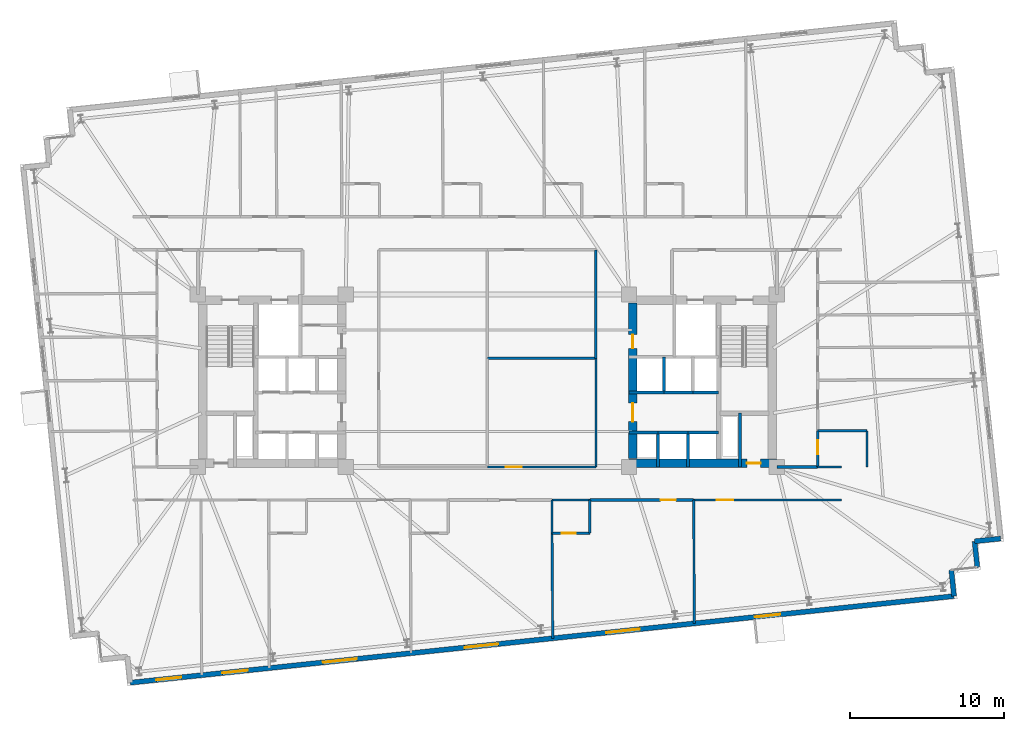
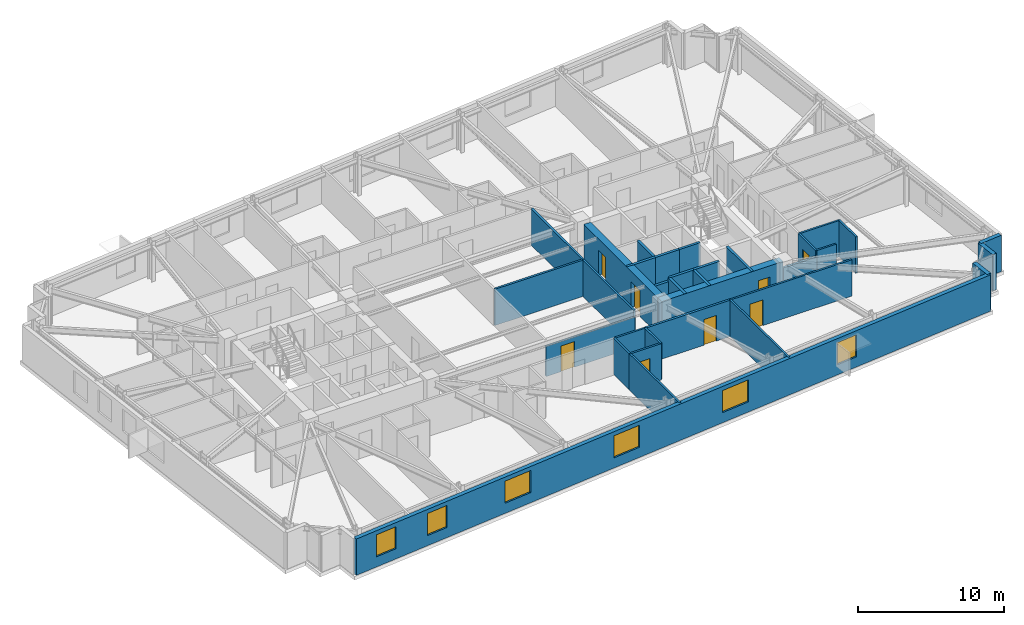
# One storey, part 14 of 19: 33 walls, 8 doors, 6 windows, 14 openings.
"""IFC4 building model written with IfcOpenShell, lengths in metres."""

from ifc_helpers import new_model, si_unit, direction, frame, frame_2d, origin, place, context, subcontext, project, spatial, rectangle, extrude, material, layer, layer_set, type_object, element, fill, save


model = new_model("IFC4")

# Units and contexts
model_context = context("Model", 3, precision=1e-05, world=origin(), true_north=direction((0.0, 1.0)))
body_context = subcontext(model_context, "Body", "Model", "MODEL_VIEW")
ifc_project = project(units=[si_unit("LENGTHUNIT", "METRE"), si_unit("AREAUNIT", "SQUARE_METRE"), si_unit("VOLUMEUNIT", "CUBIC_METRE"), si_unit("PLANEANGLEUNIT", "RADIAN"), si_unit("MASSUNIT", "GRAM", prefix="KILO")], contexts=[model_context])

# Site, building, storey
site_placement = place(None, origin())
site = spatial("IfcSite", under=ifc_project, at=site_placement, CompositionType="ELEMENT")
building_placement = place(site_placement, origin())
building = spatial("IfcBuilding", under=site, at=building_placement, Name="Qobustan Lattice House", CompositionType="ELEMENT")
storey_placement = place(building_placement, frame((0.0, 0.0, 85.699951171875)))
storey = spatial("IfcBuildingStorey", under=building, at=storey_placement, Name="L23", CompositionType="ELEMENT", Elevation=85.699951171875)

# Wall, opening, door
ifc_material_1 = material(Name="Concrete C60/75", Category="concrete")
ifc_layer_1 = layer(ifc_material_1, 0.56005859375)
ifc_layer_set_1 = layer_set([ifc_layer_1], Name="Concrete C60/75")
wall_type_1 = type_object("IfcWallType", Name="WAL-CORE-600", PredefinedType="SHEAR", material=ifc_layer_set_1)
wall_1_placement = place(storey_placement, frame((9.199951171875, -5.35009765625, 0.0), z_axis=(0.0, 0.0, 1.0), x_axis=(1.0, 0.0, 0.0)))
wall_1 = element("IfcWall", 1, at=wall_1_placement, inside=storey, type_object=wall_type_1, Name="L23 split-core shear wall CE-S", PredefinedType="SHEAR", context=body_context, shape_type="SweptSolid", body=[
    extrude(rectangle(XDim=9.60009765625, YDim=0.56005859375, at=frame_2d((4.800048828125, 0.0))), origin(), (0.0, 0.0, 1.0), 3.045166015625),
])
opening_1_placement = place(wall_1_placement, frame((7.64990234375, 0.0, 0.0)))
opening_1 = element("IfcOpeningElement", 2, at=opening_1_placement, cuts=wall_1, Name="Opening RD-01", PredefinedType="OPENING", context=body_context, shape_type="SweptSolid", body=[
    extrude(rectangle(XDim=0.89990234375, YDim=2.10009765625, at=frame_2d((0.449951171875, 1.050048828125))), frame((0.0, 0.2900390625, 0.0), z_axis=(0.0, -1.0, 0.0), x_axis=(1.0, 0.0, 0.0)), (0.0, 0.0, 1.0), 0.580078125),
])
ifc_material_2 = material(Name="Persian walnut timber and steel frame door", Category="steel")
door_type_1 = type_object("IfcDoorType", Name="DOR-RISER-FD-900x2100", OperationType="NOTDEFINED", PredefinedType="DOOR", material=ifc_material_2)
door_1_placement = place(opening_1_placement, origin())
door_1 = element("IfcDoor", 3, at=door_1_placement, inside=storey, type_object=door_type_1, Name="L23 core service riser access door E", OperationType="SINGLE_SWING_RIGHT", OverallHeight=2.10009765625, OverallWidth=0.89990234375, PredefinedType="DOOR", context=body_context, shape_type="SweptSolid", body=[
    extrude(rectangle(XDim=0.89990234375, YDim=2.10009765625, at=frame_2d((0.449951171875, 1.050048828125))), frame((0.0, 0.02490234375, 0.0), z_axis=(0.0, -1.0, 0.0), x_axis=(1.0, 0.0, 0.0)), (0.0, 0.0, 1.0), 0.050048828125),
])
fill(opening_1, door_1)

# Wall, openings, doors
wall_2_placement = place(storey_placement, frame((9.449951171875, -5.050048828125, 0.0), z_axis=(0.0, 0.0, 1.0), x_axis=(0.0, 1.0, 0.0)))
wall_2 = element("IfcWall", 4, at=wall_2_placement, inside=storey, type_object=wall_type_1, Name="L23 split-core shear wall CE-W", PredefinedType="SHEAR", context=body_context, shape_type="SweptSolid", body=[
    extrude(rectangle(XDim=10.10009765625, YDim=0.56005859375, at=frame_2d((5.050048828125, 0.0))), origin(), (0.0, 0.0, 1.0), 3.045166015625),
])
opening_2_placement = place(wall_2_placement, frame((7.14990234375, 0.0, 0.0)))
opening_2 = element("IfcOpeningElement", 5, at=opening_2_placement, cuts=wall_2, Name="Opening RD-01", PredefinedType="OPENING", context=body_context, shape_type="SweptSolid", body=[
    extrude(rectangle(XDim=0.89990234375, YDim=2.10009765625, at=frame_2d((0.449951171875, 1.050048828125))), frame((0.0, 0.2900390625, 0.0), z_axis=(0.0, -1.0, 0.0), x_axis=(1.0, 0.0, 0.0)), (0.0, 0.0, 1.0), 0.580078125),
])
opening_3_placement = place(wall_2_placement, frame((2.39990234375, 0.0, 0.0)))
opening_3 = element("IfcOpeningElement", 6, at=opening_3_placement, cuts=wall_2, Name="Opening FD-01", PredefinedType="OPENING", context=body_context, shape_type="SweptSolid", body=[
    extrude(rectangle(XDim=1.199951171875, YDim=2.14990234375, at=frame_2d((0.60009765625, 1.074951171875))), frame((0.0, 0.2900390625, 0.0), z_axis=(0.0, -1.0, 0.0), x_axis=(1.0, 0.0, 0.0)), (0.0, 0.0, 1.0), 0.580078125),
])
ifc_material_3 = material(Name="Persian walnut timber and steel frame door", Category="steel")
door_type_2 = type_object("IfcDoorType", Name="DOR-LOBBY-FD-1200x2150", OperationType="NOTDEFINED", PredefinedType="DOOR", material=ifc_material_3)
door_2_placement = place(opening_3_placement, origin())
door_2 = element("IfcDoor", 7, at=door_2_placement, inside=storey, type_object=door_type_2, Name="L23 East passenger lift lobby fire door", OperationType="SINGLE_SWING_LEFT", OverallHeight=2.14990234375, OverallWidth=1.199951171875, PredefinedType="DOOR", context=body_context, shape_type="SweptSolid", body=[
    extrude(rectangle(XDim=1.199951171875, YDim=2.14990234375, at=frame_2d((0.60009765625, 1.074951171875))), frame((0.0, 0.02490234375, 0.0), z_axis=(0.0, -1.0, 0.0), x_axis=(1.0, 0.0, 0.0)), (0.0, 0.0, 1.0), 0.050048828125),
])
fill(opening_3, door_2)
door_3_placement = place(opening_2_placement, origin())
door_3 = element("IfcDoor", 8, at=door_3_placement, inside=storey, type_object=door_type_1, Name="L23 Housekeeping linen store fire door", OperationType="SINGLE_SWING_RIGHT", OverallHeight=2.10009765625, OverallWidth=0.89990234375, PredefinedType="DOOR", context=body_context, shape_type="SweptSolid", body=[
    extrude(rectangle(XDim=0.89990234375, YDim=2.10009765625, at=frame_2d((0.449951171875, 1.050048828125))), frame((0.0, 0.02490234375, 0.0), z_axis=(0.0, -1.0, 0.0), x_axis=(1.0, 0.0, 0.0)), (0.0, 0.0, 1.0), 0.050048828125),
])
fill(opening_2, door_3)

# Walls
ifc_material_4 = material(Name="Precast concrete C40/50", Category="concrete")
ifc_layer_2 = layer(ifc_material_4, 0.320068359375)
ifc_layer_set_2 = layer_set([ifc_layer_2], Name="Precast concrete C40/50")
wall_type_2 = type_object("IfcWallType", Name="WAL-EXT-STONE-320", PredefinedType="SOLIDWALL", material=ifc_layer_set_2)
for number, where, z_axis, x_axis, name in (
    (9, (33.333251953125, -10.2490234375, 0.0), (0.0, 0.0, 1.0), (-0.994519608382, -0.104550220202, 0.0), "L23 exterior limestone-clad wall 16"),
    (10, (31.642578125, -10.4267578125, 0.0), (0.0, 0.0, 1.0), (0.104550220202, -0.994519608382, 0.0), "L23 exterior limestone-clad wall 17"),
):
    element("IfcWall", number, at=place(storey_placement, frame(where, z_axis=z_axis, x_axis=x_axis)), inside=storey, type_object=wall_type_2, Name=name, PredefinedType="SOLIDWALL", context=body_context, shape_type="SweptSolid", body=[
        extrude(rectangle(XDim=1.699951171875, YDim=0.320068359375, at=frame_2d((0.85009765625, 0.0))), origin(), (0.0, 0.0, 1.0), 3.045166015625),
    ])
wall_3_placement = place(storey_placement, frame((30.129638671875, -12.295166015625, 0.0), z_axis=(0.0, 0.0, 1.0), x_axis=(0.104565154801, -0.994518038248, 0.0)))
element("IfcWall", 11, at=wall_3_placement, inside=storey, type_object=wall_type_2, Name="L23 exterior limestone-clad wall 19", PredefinedType="SOLIDWALL", context=body_context, shape_type="SweptSolid", body=[
    extrude(rectangle(XDim=1.69970703125, YDim=0.320068359375, at=frame_2d((0.849853515625, 0.0))), origin(), (0.0, 0.0, 1.0), 3.045166015625),
])

# Wall, openings, windows
wall_4_placement = place(storey_placement, frame((30.307373046875, -13.985595703125, 0.0), z_axis=(0.0, 0.0, 1.0), x_axis=(-0.994521628355, -0.104531003701, 0.0)))
wall_4 = element("IfcWall", 12, at=wall_4_placement, inside=storey, type_object=wall_type_2, Name="L23 exterior limestone-clad wall 20", PredefinedType="SOLIDWALL", context=body_context, shape_type="SweptSolid", body=[
    extrude(rectangle(XDim=53.800048828125, YDim=0.320068359375, at=frame_2d((26.89990234375, 0.0))), origin(), (0.0, 0.0, 1.0), 3.045166015625),
])
opening_4_placement = place(wall_4_placement, frame((11.343994140625, 0.0, 0.85009765625)))
opening_4 = element("IfcOpeningElement", 13, at=opening_4_placement, cuts=wall_4, Name="Opening WN-09", PredefinedType="OPENING", context=body_context, shape_type="SweptSolid", body=[
    extrude(rectangle(XDim=1.64990234375, YDim=1.85009765625, at=frame_2d((0.824951171875, 0.925048828125))), frame((0.0, 0.169921875, 0.0), z_axis=(0.0, -1.0, 0.0), x_axis=(1.0, 0.0, 0.0)), (0.0, 0.0, 1.0), 0.340087890625),
])
opening_5_placement = place(wall_4_placement, frame((20.51611328125, 0.0, 0.85009765625)))
opening_5 = element("IfcOpeningElement", 14, at=opening_5_placement, cuts=wall_4, Name="Opening WN-03", PredefinedType="OPENING", context=body_context, shape_type="SweptSolid", body=[
    extrude(rectangle(XDim=2.199951171875, YDim=1.85009765625, at=frame_2d((1.10009765625, 0.925048828125))), frame((0.0, 0.169921875, 0.0), z_axis=(0.0, -1.0, 0.0), x_axis=(1.0, 0.0, 0.0)), (0.0, 0.0, 1.0), 0.340087890625),
])
opening_6_placement = place(wall_4_placement, frame((29.762939453125, 0.0, 0.85009765625)))
opening_6 = element("IfcOpeningElement", 15, at=opening_6_placement, cuts=wall_4, Name="Opening WN-03", PredefinedType="OPENING", context=body_context, shape_type="SweptSolid", body=[
    extrude(rectangle(XDim=2.199951171875, YDim=1.85009765625, at=frame_2d((1.10009765625, 0.925048828125))), frame((0.0, 0.169921875, 0.0), z_axis=(0.0, -1.0, 0.0), x_axis=(1.0, 0.0, 0.0)), (0.0, 0.0, 1.0), 0.340087890625),
])
opening_7_placement = place(wall_4_placement, frame((39.009765625, 0.0, 0.85009765625)))
opening_7 = element("IfcOpeningElement", 16, at=opening_7_placement, cuts=wall_4, Name="Opening WN-03", PredefinedType="OPENING", context=body_context, shape_type="SweptSolid", body=[
    extrude(rectangle(XDim=2.199951171875, YDim=1.85009765625, at=frame_2d((1.10009765625, 0.925048828125))), frame((0.0, 0.169921875, 0.0), z_axis=(0.0, -1.0, 0.0), x_axis=(1.0, 0.0, 0.0)), (0.0, 0.0, 1.0), 0.340087890625),
])
opening_8_placement = place(wall_4_placement, frame((46.1298828125, 0.0, 0.85009765625)))
opening_8 = element("IfcOpeningElement", 17, at=opening_8_placement, cuts=wall_4, Name="Opening WN-09", PredefinedType="OPENING", context=body_context, shape_type="SweptSolid", body=[
    extrude(rectangle(XDim=1.64990234375, YDim=1.85009765625, at=frame_2d((0.824951171875, 0.925048828125))), frame((0.0, 0.169921875, 0.0), z_axis=(0.0, -1.0, 0.0), x_axis=(1.0, 0.0, 0.0)), (0.0, 0.0, 1.0), 0.340087890625),
])
opening_9_placement = place(wall_4_placement, frame((50.453125, 0.0, 0.85009765625)))
opening_9 = element("IfcOpeningElement", 18, at=opening_9_placement, cuts=wall_4, Name="Opening WN-09", PredefinedType="OPENING", context=body_context, shape_type="SweptSolid", body=[
    extrude(rectangle(XDim=1.64990234375, YDim=1.85009765625, at=frame_2d((0.824951171875, 0.925048828125))), frame((0.0, 0.169921875, 0.0), z_axis=(0.0, -1.0, 0.0), x_axis=(1.0, 0.0, 0.0)), (0.0, 0.0, 1.0), 0.340087890625),
])
ifc_material_5 = material(Name="Double-glazed low-E aluminium window", Category="aluminium")
window_type_1 = type_object("IfcWindowType", Name="WIN-STU-1650x1850", PartitioningType="SINGLE_PANEL", PredefinedType="WINDOW", material=ifc_material_5)
window_1_placement = place(opening_4_placement, origin())
window_1 = element("IfcWindow", 19, at=window_1_placement, inside=storey, type_object=window_type_1, Name="L23 Group study room window", OverallHeight=1.85009765625, OverallWidth=1.64990234375, PartitioningType="SINGLE_PANEL", PredefinedType="WINDOW", context=body_context, shape_type="SweptSolid", body=[
    extrude(rectangle(XDim=1.64990234375, YDim=1.85009765625, at=frame_2d((0.824951171875, 0.925048828125))), frame((0.0, 0.030029296875, 0.0), z_axis=(0.0, -1.0, 0.0), x_axis=(1.0, 0.0, 0.0)), (0.0, 0.0, 1.0), 0.06005859375),
])
fill(opening_4, window_1)
window_2_placement = place(opening_8_placement, origin())
window_2 = element("IfcWindow", 20, at=window_2_placement, inside=storey, type_object=window_type_1, Name="L23 Focus study room S1B window", OverallHeight=1.85009765625, OverallWidth=1.64990234375, PartitioningType="SINGLE_PANEL", PredefinedType="WINDOW", context=body_context, shape_type="SweptSolid", body=[
    extrude(rectangle(XDim=1.64990234375, YDim=1.85009765625, at=frame_2d((0.824951171875, 0.925048828125))), frame((0.0, 0.030029296875, 0.0), z_axis=(0.0, -1.0, 0.0), x_axis=(1.0, 0.0, 0.0)), (0.0, 0.0, 1.0), 0.06005859375),
])
fill(opening_8, window_2)
window_3_placement = place(opening_9_placement, origin())
window_3 = element("IfcWindow", 21, at=window_3_placement, inside=storey, type_object=window_type_1, Name="L23 Focus study room S1A window", OverallHeight=1.85009765625, OverallWidth=1.64990234375, PartitioningType="SINGLE_PANEL", PredefinedType="WINDOW", context=body_context, shape_type="SweptSolid", body=[
    extrude(rectangle(XDim=1.64990234375, YDim=1.85009765625, at=frame_2d((0.824951171875, 0.925048828125))), frame((0.0, 0.030029296875, 0.0), z_axis=(0.0, -1.0, 0.0), x_axis=(1.0, 0.0, 0.0)), (0.0, 0.0, 1.0), 0.06005859375),
])
fill(opening_9, window_3)
ifc_material_6 = material(Name="Double-glazed low-E aluminium window", Category="aluminium")
window_type_2 = type_object("IfcWindowType", Name="WIN-WIDE-2200x1850", PartitioningType="SINGLE_PANEL", PredefinedType="WINDOW", material=ifc_material_6)
window_4_placement = place(opening_5_placement, origin())
window_4 = element("IfcWindow", 22, at=window_4_placement, inside=storey, type_object=window_type_2, Name="L23 Kitchenette and studio apartment L23-S4 window", OverallHeight=1.85009765625, OverallWidth=2.199951171875, PartitioningType="SINGLE_PANEL", PredefinedType="WINDOW", context=body_context, shape_type="SweptSolid", body=[
    extrude(rectangle(XDim=2.199951171875, YDim=1.85009765625, at=frame_2d((1.10009765625, 0.925048828125))), frame((0.0, 0.030029296875, 0.0), z_axis=(0.0, -1.0, 0.0), x_axis=(1.0, 0.0, 0.0)), (0.0, 0.0, 1.0), 0.06005859375),
])
fill(opening_5, window_4)
window_5_placement = place(opening_6_placement, origin())
window_5 = element("IfcWindow", 23, at=window_5_placement, inside=storey, type_object=window_type_2, Name="L23 Kitchenette and studio apartment L23-S3 window", OverallHeight=1.85009765625, OverallWidth=2.199951171875, PartitioningType="SINGLE_PANEL", PredefinedType="WINDOW", context=body_context, shape_type="SweptSolid", body=[
    extrude(rectangle(XDim=2.199951171875, YDim=1.85009765625, at=frame_2d((1.10009765625, 0.925048828125))), frame((0.0, 0.030029296875, 0.0), z_axis=(0.0, -1.0, 0.0), x_axis=(1.0, 0.0, 0.0)), (0.0, 0.0, 1.0), 0.06005859375),
])
fill(opening_6, window_5)
window_6_placement = place(opening_7_placement, origin())
window_6 = element("IfcWindow", 24, at=window_6_placement, inside=storey, type_object=window_type_2, Name="L23 Kitchenette and studio apartment L23-S2 window", OverallHeight=1.85009765625, OverallWidth=2.199951171875, PartitioningType="SINGLE_PANEL", PredefinedType="WINDOW", context=body_context, shape_type="SweptSolid", body=[
    extrude(rectangle(XDim=2.199951171875, YDim=1.85009765625, at=frame_2d((1.10009765625, 0.925048828125))), frame((0.0, 0.030029296875, 0.0), z_axis=(0.0, -1.0, 0.0), x_axis=(1.0, 0.0, 0.0)), (0.0, 0.0, 1.0), 0.06005859375),
])
fill(opening_7, window_6)

# Wall
ifc_material_7 = material(Name="Gypsum fireboard acoustic partition", Category="gypsum")
ifc_layer_3 = layer(ifc_material_7, 0.179931640625)
ifc_layer_set_3 = layer_set([ifc_layer_3], Name="Gypsum fireboard acoustic partition")
wall_type_3 = type_object("IfcWallType", Name="WAL-FIRE-180", PredefinedType="PARTITIONING", material=ifc_layer_set_3)
wall_5_placement = place(storey_placement, frame((18.800048828125, -5.60009765625, 0.0), z_axis=(0.0, 0.0, 1.0), x_axis=(1.0, 0.0, 0.0)))
element("IfcWall", 25, at=wall_5_placement, inside=storey, type_object=wall_type_3, Name="L23 interior partition 65", PredefinedType="PARTITIONING", context=body_context, shape_type="SweptSolid", body=[
    extrude(rectangle(XDim=2.64990234375, YDim=0.179931640625, at=frame_2d((1.324951171875, 0.0))), origin(), (0.0, 0.0, 1.0), 2.530029296875),
])

# Wall, opening, door
wall_6_placement = place(storey_placement, frame((13.39990234375, -7.75, 0.0), z_axis=(0.0, 0.0, 1.0), x_axis=(-1.0, 0.0, 0.0)))
wall_6 = element("IfcWall", 26, at=wall_6_placement, inside=storey, type_object=wall_type_3, Name="L23 interior partition 68", PredefinedType="PARTITIONING", context=body_context, shape_type="SweptSolid", body=[
    extrude(rectangle(XDim=6.75, YDim=0.179931640625, at=frame_2d((3.375, 0.0))), origin(), (0.0, 0.0, 1.0), 3.045166015625),
])
opening_10_placement = place(wall_6_placement, frame((1.15380859375, 0.0, 0.0)))
opening_10 = element("IfcOpeningElement", 27, at=opening_10_placement, cuts=wall_6, Name="Opening FD-02", PredefinedType="OPENING", context=body_context, shape_type="SweptSolid", body=[
    extrude(rectangle(XDim=1.0, YDim=2.14990234375, at=frame_2d((0.5, 1.074951171875))), frame((0.0, 0.099853515625, 0.0), z_axis=(0.0, -1.0, 0.0), x_axis=(1.0, 0.0, 0.0)), (0.0, 0.0, 1.0), 0.199951171875),
])
ifc_material_8 = material(Name="Persian walnut timber and steel frame door", Category="steel")
door_type_3 = type_object("IfcDoorType", Name="DOR-UNIT-FD-1000x2150", OperationType="NOTDEFINED", PredefinedType="DOOR", material=ifc_material_8)
door_4_placement = place(opening_10_placement, origin())
door_4 = element("IfcDoor", 28, at=door_4_placement, inside=storey, type_object=door_type_3, Name="L23 South-east floor corridor to Kitchenette and studio apartment L23-S4 door", OperationType="SINGLE_SWING_LEFT", OverallHeight=2.14990234375, OverallWidth=1.0, PredefinedType="DOOR", context=body_context, shape_type="SweptSolid", body=[
    extrude(rectangle(XDim=1.0, YDim=2.14990234375, at=frame_2d((0.5, 1.074951171875))), frame((0.0, 0.02490234375, 0.0), z_axis=(0.0, -1.0, 0.0), x_axis=(1.0, 0.0, 0.0)), (0.0, 0.0, 1.0), 0.050048828125),
])
fill(opening_10, door_4)

ifc_material_9 = material(Name="Acoustic twin-stud gypsum partition", Category="gypsum")
ifc_layer_4 = layer(ifc_material_9, 0.14990234375)
ifc_layer_set_4 = layer_set([ifc_layer_4], Name="Acoustic twin-stud gypsum partition")
wall_type_4 = type_object("IfcWallType", Name="WAL-PART-150", PredefinedType="PARTITIONING", material=ifc_layer_set_4)
wall_7_placement = place(storey_placement, frame((23.0, -7.75, 0.0), z_axis=(0.0, 0.0, 1.0), x_axis=(-1.0, 0.0, 0.0)))
wall_7 = element("IfcWall", 29, at=wall_7_placement, inside=storey, type_object=wall_type_4, Name="L23 interior partition 70", PredefinedType="PARTITIONING", context=body_context, shape_type="SweptSolid", body=[
    extrude(rectangle(XDim=9.60009765625, YDim=0.14990234375, at=frame_2d((4.800048828125, 0.0))), origin(), (0.0, 0.0, 1.0), 3.045166015625),
])
opening_11_placement = place(wall_7_placement, frame((7.046142578125, 0.0, 0.0)))
opening_11 = element("IfcOpeningElement", 30, at=opening_11_placement, cuts=wall_7, Name="Opening ID-02", PredefinedType="OPENING", context=body_context, shape_type="SweptSolid", body=[
    extrude(rectangle(XDim=1.050048828125, YDim=2.14990234375, at=frame_2d((0.52490234375, 1.074951171875))), frame((0.0, 0.0849609375, 0.0), z_axis=(0.0, -1.0, 0.0), x_axis=(1.0, 0.0, 0.0)), (0.0, 0.0, 1.0), 0.169921875),
])
ifc_material_10 = material(Name="Persian walnut timber and steel frame door", Category="steel")
door_type_4 = type_object("IfcDoorType", Name="DOR-STUDY-1050x2150", OperationType="NOTDEFINED", PredefinedType="DOOR", material=ifc_material_10)
door_5_placement = place(opening_11_placement, origin())
door_5 = element("IfcDoor", 31, at=door_5_placement, inside=storey, type_object=door_type_4, Name="L23 South-east floor corridor to Group study room door", OperationType="SINGLE_SWING_RIGHT", OverallHeight=2.14990234375, OverallWidth=1.050048828125, PredefinedType="DOOR", context=body_context, shape_type="SweptSolid", body=[
    extrude(rectangle(XDim=1.050048828125, YDim=2.14990234375, at=frame_2d((0.52490234375, 1.074951171875))), frame((0.0, 0.02490234375, 0.0), z_axis=(0.0, -1.0, 0.0), x_axis=(1.0, 0.0, 0.0)), (0.0, 0.0, 1.0), 0.050048828125),
])
fill(opening_11, door_5)

wall_8_placement = place(storey_placement, frame((0.0, -5.60009765625, 0.0), z_axis=(0.0, 0.0, 1.0), x_axis=(1.0, 0.0, 0.0)))
wall_8 = element("IfcWall", 32, at=wall_8_placement, inside=storey, type_object=wall_type_4, Name="L23 interior partition 71", PredefinedType="PARTITIONING", context=body_context, shape_type="SweptSolid", body=[
    extrude(rectangle(XDim=7.050048828125, YDim=0.14990234375, at=frame_2d((3.52490234375, 0.0))), origin(), (0.0, 0.0, 1.0), 2.530029296875),
])
opening_12_placement = place(wall_8_placement, frame((1.18505859375, 0.0, 0.0)))
opening_12 = element("IfcOpeningElement", 33, at=opening_12_placement, cuts=wall_8, Name="Opening ID-02", PredefinedType="OPENING", context=body_context, shape_type="SweptSolid", body=[
    extrude(rectangle(XDim=1.050048828125, YDim=2.14990234375, at=frame_2d((0.52490234375, 1.074951171875))), frame((0.0, 0.0849609375, 0.0), z_axis=(0.0, -1.0, 0.0), x_axis=(1.0, 0.0, 0.0)), (0.0, 0.0, 1.0), 0.169921875),
])
door_6_placement = place(opening_12_placement, origin())
door_6 = element("IfcDoor", 34, at=door_6_placement, inside=storey, type_object=door_type_4, Name="L23 South-east floor corridor to Seminar breakout room door", OperationType="SINGLE_SWING_LEFT", OverallHeight=2.14990234375, OverallWidth=1.050048828125, PredefinedType="DOOR", context=body_context, shape_type="SweptSolid", body=[
    extrude(rectangle(XDim=1.050048828125, YDim=2.14990234375, at=frame_2d((0.52490234375, 1.074951171875))), frame((0.0, 0.02490234375, 0.0), z_axis=(0.0, -1.0, 0.0), x_axis=(1.0, 0.0, 0.0)), (0.0, 0.0, 1.0), 0.050048828125),
])
fill(opening_12, door_6)

# Walls
wall_9_placement = place(storey_placement, frame((7.050048828125, -5.60009765625, 0.0), z_axis=(0.0, 0.0, 1.0), x_axis=(0.0, 1.0, 0.0)))
element("IfcWall", 35, at=wall_9_placement, inside=storey, type_object=wall_type_4, Name="L23 interior partition 73", PredefinedType="PARTITIONING", context=body_context, shape_type="SweptSolid", body=[
    extrude(rectangle(XDim=7.050048828125, YDim=0.14990234375, at=frame_2d((3.52490234375, 0.0))), origin(), (0.0, 0.0, 1.0), 3.045166015625),
])
wall_10_placement = place(storey_placement, frame((4.199951171875, -9.89990234375, 0.0), z_axis=(0.0, 0.0, 1.0), x_axis=(0.00643855591, -0.999979272284, 0.0)))
element("IfcWall", 36, at=wall_10_placement, inside=storey, type_object=wall_type_4, Name="L23 interior partition 124", PredefinedType="PARTITIONING", context=body_context, shape_type="SweptSolid", body=[
    extrude(rectangle(XDim=6.825439453125, YDim=0.14990234375, at=frame_2d((3.41259765625, 0.0))), origin(), (0.0, 0.0, 1.0), 3.045166015625),
])
wall_11_placement = place(storey_placement, frame((13.39990234375, -7.75, 0.0), z_axis=(0.0, 0.0, 1.0), x_axis=(0.005487554946, -0.999984943257, 0.0)))
element("IfcWall", 37, at=wall_11_placement, inside=storey, type_object=wall_type_4, Name="L23 interior partition 128", PredefinedType="PARTITIONING", context=body_context, shape_type="SweptSolid", body=[
    extrude(rectangle(XDim=8.008056640625, YDim=0.14990234375, at=frame_2d((4.00390625, 0.0))), origin(), (0.0, 0.0, 1.0), 3.045166015625),
])
ifc_material_11 = material(Name="High-mass acoustic twin-stud partition", Category="gypsum")
ifc_layer_5 = layer(ifc_material_11, 0.1650390625)
ifc_layer_set_5 = layer_set([ifc_layer_5], Name="High-mass acoustic twin-stud partition")
wall_type_5 = type_object("IfcWallType", Name="WAL-PART-165", PredefinedType="PARTITIONING", material=ifc_layer_set_5)
for number, where, z_axis, x_axis, name in (
    (38, (7.050048828125, 1.449951171875, 0.0), (0.0, 0.0, 1.0), (0.0, 1.0, 0.0), "L23 interior partition 74"),
    (39, (0.0, 1.449951171875, 0.0), (0.0, 0.0, 1.0), (1.0, 0.0, 0.0), "L23 interior partition 131"),
):
    element("IfcWall", number, at=place(storey_placement, frame(where, z_axis=z_axis, x_axis=x_axis)), inside=storey, type_object=wall_type_5, Name=name, PredefinedType="PARTITIONING", context=body_context, shape_type="SweptSolid", body=[
        extrude(rectangle(XDim=7.050048828125, YDim=0.1650390625, at=frame_2d((3.52490234375, 0.0))), origin(), (0.0, 0.0, 1.0), 3.045166015625),
    ])
ifc_material_12 = material(Name="Concrete C40/50", Category="concrete")
ifc_layer_6 = layer(ifc_material_12, 0.199951171875)
ifc_layer_set_6 = layer_set([ifc_layer_6], Name="Concrete C40/50")
wall_type_6 = type_object("IfcWallType", Name="WAL-SHAFT-200", PredefinedType="PARTITIONING", material=ifc_layer_set_6)
wall_12_placement = place(storey_placement, frame((16.39990234375, -2.110107421875, 0.0), z_axis=(0.0, 0.0, 1.0), x_axis=(0.0, -1.0, 0.0)))
element("IfcWall", 40, at=wall_12_placement, inside=storey, type_object=wall_type_6, Name="L23 interior partition 20", PredefinedType="PARTITIONING", context=body_context, shape_type="SweptSolid", body=[
    extrude(rectangle(XDim=3.489990234375, YDim=0.199951171875, at=frame_2d((1.7451171875, 0.0))), origin(), (0.0, 0.0, 1.0), 3.045166015625),
])
wall_13_placement = place(storey_placement, frame((9.199951171875, -3.35009765625, 0.0), z_axis=(0.0, 0.0, 1.0), x_axis=(1.0, 0.0, 0.0)))
element("IfcWall", 41, at=wall_13_placement, inside=storey, type_object=wall_type_6, Name="L23 interior partition 26", PredefinedType="PARTITIONING", context=body_context, shape_type="SweptSolid", body=[
    extrude(rectangle(XDim=1.880126953125, YDim=0.199951171875, at=frame_2d((0.93994140625, 0.0))), origin(), (0.0, 0.0, 1.0), 2.760009765625),
])
wall_14_placement = place(storey_placement, frame((11.080078125, -3.35009765625, 0.0), z_axis=(0.0, 0.0, 1.0), x_axis=(1.0, 0.0, 0.0)))
element("IfcWall", 42, at=wall_14_placement, inside=storey, type_object=wall_type_6, Name="L23 interior partition 27", PredefinedType="PARTITIONING", context=body_context, shape_type="SweptSolid", body=[
    extrude(rectangle(XDim=1.93994140625, YDim=0.199951171875, at=frame_2d((0.969970703125, 0.0))), origin(), (0.0, 0.0, 1.0), 3.045166015625),
])
wall_15_placement = place(storey_placement, frame((13.02001953125, -3.35009765625, 0.0), z_axis=(0.0, 0.0, 1.0), x_axis=(1.0, 0.0, 0.0)))
element("IfcWall", 43, at=wall_15_placement, inside=storey, type_object=wall_type_6, Name="L23 interior partition 28", PredefinedType="PARTITIONING", context=body_context, shape_type="SweptSolid", body=[
    extrude(rectangle(XDim=2.0, YDim=0.199951171875, at=frame_2d((1.0, 0.0))), origin(), (0.0, 0.0, 1.0), 3.045166015625),
])
wall_16_placement = place(storey_placement, frame((11.4599609375, -0.75, 0.0), z_axis=(0.0, 0.0, 1.0), x_axis=(-1.0, 0.0, 0.0)))
element("IfcWall", 44, at=wall_16_placement, inside=storey, type_object=wall_type_6, Name="L23 interior partition 29", PredefinedType="PARTITIONING", context=body_context, shape_type="SweptSolid", body=[
    extrude(rectangle(XDim=2.260009765625, YDim=0.199951171875, at=frame_2d((1.1298828125, 0.0))), origin(), (0.0, 0.0, 1.0), 3.045166015625),
])
wall_17_placement = place(storey_placement, frame((13.340087890625, -0.75, 0.0), z_axis=(0.0, 0.0, 1.0), x_axis=(-1.0, 0.0, 0.0)))
element("IfcWall", 45, at=wall_17_placement, inside=storey, type_object=wall_type_6, Name="L23 interior partition 30", PredefinedType="PARTITIONING", context=body_context, shape_type="SweptSolid", body=[
    extrude(rectangle(XDim=1.880126953125, YDim=0.199951171875, at=frame_2d((0.93994140625, 0.0))), origin(), (0.0, 0.0, 1.0), 3.045166015625),
])
wall_18_placement = place(storey_placement, frame((15.02001953125, -0.75, 0.0), z_axis=(0.0, 0.0, 1.0), x_axis=(-1.0, 0.0, 0.0)))
element("IfcWall", 46, at=wall_18_placement, inside=storey, type_object=wall_type_6, Name="L23 interior partition 31", PredefinedType="PARTITIONING", context=body_context, shape_type="SweptSolid", body=[
    extrude(rectangle(XDim=1.679931640625, YDim=0.199951171875, at=frame_2d((0.83984375, 0.0))), origin(), (0.0, 0.0, 1.0), 3.045166015625),
])
for number, where, z_axis, x_axis, name in (
    (47, (11.080078125, -5.60009765625, 0.0), (0.0, 0.0, 1.0), (0.0, 1.0, 0.0), "L23 interior partition 33"),
    (48, (13.02001953125, -5.60009765625, 0.0), (0.0, 0.0, 1.0), (0.0, 1.0, 0.0), "L23 interior partition 34"),
):
    element("IfcWall", number, at=place(storey_placement, frame(where, z_axis=z_axis, x_axis=x_axis)), inside=storey, type_object=wall_type_6, Name=name, PredefinedType="PARTITIONING", context=body_context, shape_type="SweptSolid", body=[
        extrude(rectangle(XDim=2.25, YDim=0.199951171875, at=frame_2d((1.125, 0.0))), origin(), (0.0, 0.0, 1.0), 3.045166015625),
    ])
wall_19_placement = place(storey_placement, frame((11.4599609375, -0.75, 0.0), z_axis=(0.0, 0.0, 1.0), x_axis=(0.0, 1.0, 0.0)))
element("IfcWall", 49, at=wall_19_placement, inside=storey, type_object=wall_type_6, Name="L23 interior partition 35", PredefinedType="PARTITIONING", context=body_context, shape_type="SweptSolid", body=[
    extrude(rectangle(XDim=2.300048828125, YDim=0.199951171875, at=frame_2d((1.14990234375, 0.0))), origin(), (0.0, 0.0, 1.0), 3.045166015625),
])
ifc_material_13 = material(Name="Moisture-resistant acoustic plumbing wall", Category="gypsum")
ifc_layer_7 = layer(ifc_material_13, 0.14990234375)
ifc_layer_set_7 = layer_set([ifc_layer_7], Name="Moisture-resistant acoustic plumbing wall")
wall_type_7 = type_object("IfcWallType", Name="WAL-WET-150", PredefinedType="PLUMBINGWALL", material=ifc_layer_set_7)
wall_20_placement = place(storey_placement, frame((21.449951171875, -5.60009765625, 0.0), z_axis=(0.0, 0.0, 1.0), x_axis=(1.0, 0.0, 0.0)))
element("IfcWall", 50, at=wall_20_placement, inside=storey, type_object=wall_type_7, Name="L23 interior partition 66", PredefinedType="PLUMBINGWALL", context=body_context, shape_type="SweptSolid", body=[
    extrude(rectangle(XDim=1.550048828125, YDim=0.14990234375, at=frame_2d((0.77490234375, 0.0))), origin(), (0.0, 0.0, 1.0), 3.045166015625),
])
wall_21_placement = place(storey_placement, frame((6.64990234375, -7.75, 0.0), z_axis=(0.0, 0.0, 1.0), x_axis=(-1.0, 0.0, 0.0)))
element("IfcWall", 51, at=wall_21_placement, inside=storey, type_object=wall_type_7, Name="L23 interior partition 69", PredefinedType="PLUMBINGWALL", context=body_context, shape_type="SweptSolid", body=[
    extrude(rectangle(XDim=2.449951171875, YDim=0.14990234375, at=frame_2d((1.22509765625, 0.0))), origin(), (0.0, 0.0, 1.0), 3.045166015625),
])

# Wall, opening, door
wall_22_placement = place(storey_placement, frame((21.449951171875, -3.25, 0.0), z_axis=(0.0, 0.0, 1.0), x_axis=(0.0, -1.0, 0.0)))
wall_22 = element("IfcWall", 52, at=wall_22_placement, inside=storey, type_object=wall_type_7, Name="L23 interior partition 84", PredefinedType="PLUMBINGWALL", context=body_context, shape_type="SweptSolid", body=[
    extrude(rectangle(XDim=2.35009765625, YDim=0.14990234375, at=frame_2d((1.175048828125, 0.0))), origin(), (0.0, 0.0, 1.0), 3.045166015625),
])
opening_13_placement = place(wall_22_placement, frame((0.6162109375, 0.0, 0.0)))
opening_13 = element("IfcOpeningElement", 53, at=opening_13_placement, cuts=wall_22, Name="Opening WD-01", PredefinedType="OPENING", context=body_context, shape_type="SweptSolid", body=[
    extrude(rectangle(XDim=0.89990234375, YDim=2.10009765625, at=frame_2d((0.449951171875, 1.050048828125))), frame((0.0, 0.0849609375, 0.0), z_axis=(0.0, -1.0, 0.0), x_axis=(1.0, 0.0, 0.0)), (0.0, 0.0, 1.0), 0.169921875),
])
ifc_material_14 = material(Name="Persian walnut timber and steel frame door", Category="steel")
door_type_5 = type_object("IfcDoorType", Name="DOR-WET-900x2100", OperationType="NOTDEFINED", PredefinedType="DOOR", material=ifc_material_14)
door_7_placement = place(opening_13_placement, origin())
door_7 = element("IfcDoor", 54, at=door_7_placement, inside=storey, type_object=door_type_5, Name="L23 Residence entrance hall L23E to Shared bathroom L23E door", OperationType="SINGLE_SWING_RIGHT", OverallHeight=2.10009765625, OverallWidth=0.89990234375, PredefinedType="DOOR", context=body_context, shape_type="SweptSolid", body=[
    extrude(rectangle(XDim=0.89990234375, YDim=2.10009765625, at=frame_2d((0.449951171875, 1.050048828125))), frame((0.0, 0.02490234375, 0.0), z_axis=(0.0, -1.0, 0.0), x_axis=(1.0, 0.0, 0.0)), (0.0, 0.0, 1.0), 0.050048828125),
])
fill(opening_13, door_7)

# Walls
wall_23_placement = place(storey_placement, frame((21.449951171875, -3.25, 0.0), z_axis=(0.0, 0.0, 1.0), x_axis=(1.0, 0.0, 0.0)))
element("IfcWall", 55, at=wall_23_placement, inside=storey, type_object=wall_type_7, Name="L23 interior partition 90", PredefinedType="PLUMBINGWALL", context=body_context, shape_type="SweptSolid", body=[
    extrude(rectangle(XDim=3.199951171875, YDim=0.14990234375, at=frame_2d((1.60009765625, 0.0))), origin(), (0.0, 0.0, 1.0), 3.045166015625),
])
wall_24_placement = place(storey_placement, frame((24.64990234375, -3.25, 0.0), z_axis=(0.0, 0.0, 1.0), x_axis=(0.0, -1.0, 0.0)))
element("IfcWall", 56, at=wall_24_placement, inside=storey, type_object=wall_type_7, Name="L23 interior partition 91", PredefinedType="PLUMBINGWALL", context=body_context, shape_type="SweptSolid", body=[
    extrude(rectangle(XDim=2.35009765625, YDim=0.14990234375, at=frame_2d((1.175048828125, 0.0))), origin(), (0.0, 0.0, 1.0), 3.045166015625),
])
wall_25_placement = place(storey_placement, frame((4.199951171875, -7.75, 0.0), z_axis=(0.0, 0.0, 1.0), x_axis=(0.0, -1.0, 0.0)))
element("IfcWall", 57, at=wall_25_placement, inside=storey, type_object=wall_type_7, Name="L23 interior partition 125", PredefinedType="PLUMBINGWALL", context=body_context, shape_type="SweptSolid", body=[
    extrude(rectangle(XDim=2.14990234375, YDim=0.14990234375, at=frame_2d((1.074951171875, 0.0))), origin(), (0.0, 0.0, 1.0), 3.045166015625),
])

# Wall, opening, door
wall_26_placement = place(storey_placement, frame((4.199951171875, -9.89990234375, 0.0), z_axis=(0.0, 0.0, 1.0), x_axis=(1.0, 0.0, 0.0)))
wall_26 = element("IfcWall", 58, at=wall_26_placement, inside=storey, type_object=wall_type_7, Name="L23 interior partition 126", PredefinedType="PLUMBINGWALL", context=body_context, shape_type="SweptSolid", body=[
    extrude(rectangle(XDim=2.449951171875, YDim=0.14990234375, at=frame_2d((1.22509765625, 0.0))), origin(), (0.0, 0.0, 1.0), 3.045166015625),
])
opening_14_placement = place(wall_26_placement, frame((0.62890625, 0.0, 0.0)))
opening_14 = element("IfcOpeningElement", 59, at=opening_14_placement, cuts=wall_26, Name="Opening WD-01", PredefinedType="OPENING", context=body_context, shape_type="SweptSolid", body=[
    extrude(rectangle(XDim=0.89990234375, YDim=2.10009765625, at=frame_2d((0.449951171875, 1.050048828125))), frame((0.0, 0.0849609375, 0.0), z_axis=(0.0, -1.0, 0.0), x_axis=(1.0, 0.0, 0.0)), (0.0, 0.0, 1.0), 0.169921875),
])
door_8_placement = place(opening_14_placement, origin())
door_8 = element("IfcDoor", 60, at=door_8_placement, inside=storey, type_object=door_type_5, Name="L23 Kitchenette and studio apartment L23-S4 to En-suite bathroom L23-S4 door", OperationType="SINGLE_SWING_RIGHT", OverallHeight=2.10009765625, OverallWidth=0.89990234375, PredefinedType="DOOR", context=body_context, shape_type="SweptSolid", body=[
    extrude(rectangle(XDim=0.89990234375, YDim=2.10009765625, at=frame_2d((0.449951171875, 1.050048828125))), frame((0.0, 0.02490234375, 0.0), z_axis=(0.0, -1.0, 0.0), x_axis=(1.0, 0.0, 0.0)), (0.0, 0.0, 1.0), 0.050048828125),
])
fill(opening_14, door_8)

# Wall
wall_27_placement = place(storey_placement, frame((6.64990234375, -9.89990234375, 0.0), z_axis=(0.0, 0.0, 1.0), x_axis=(0.0, 1.0, 0.0)))
element("IfcWall", 61, at=wall_27_placement, inside=storey, type_object=wall_type_7, Name="L23 interior partition 127", PredefinedType="PLUMBINGWALL", context=body_context, shape_type="SweptSolid", body=[
    extrude(rectangle(XDim=2.14990234375, YDim=0.14990234375, at=frame_2d((1.074951171875, 0.0))), origin(), (0.0, 0.0, 1.0), 3.045166015625),
])

save(model, "model.ifc")
